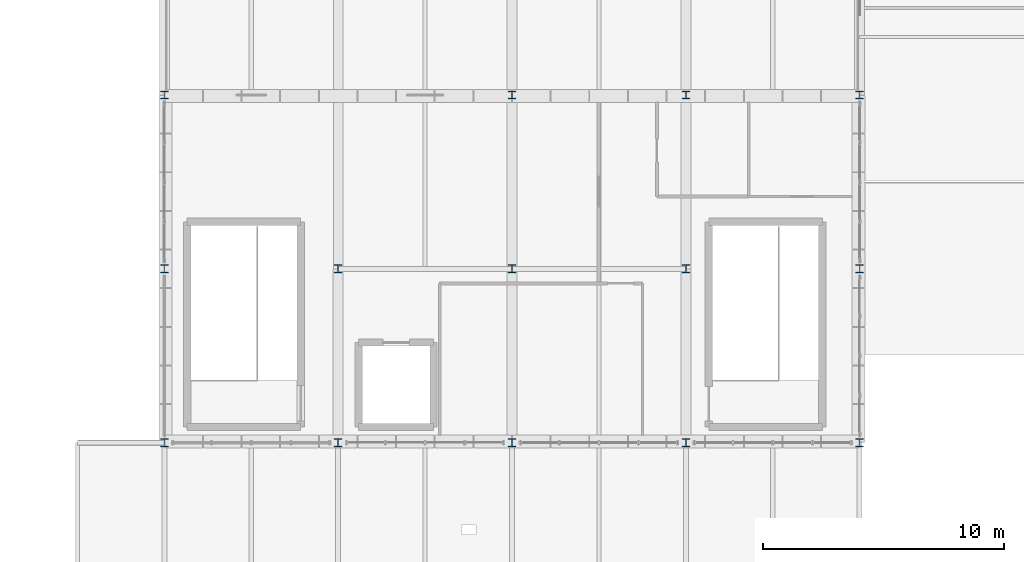
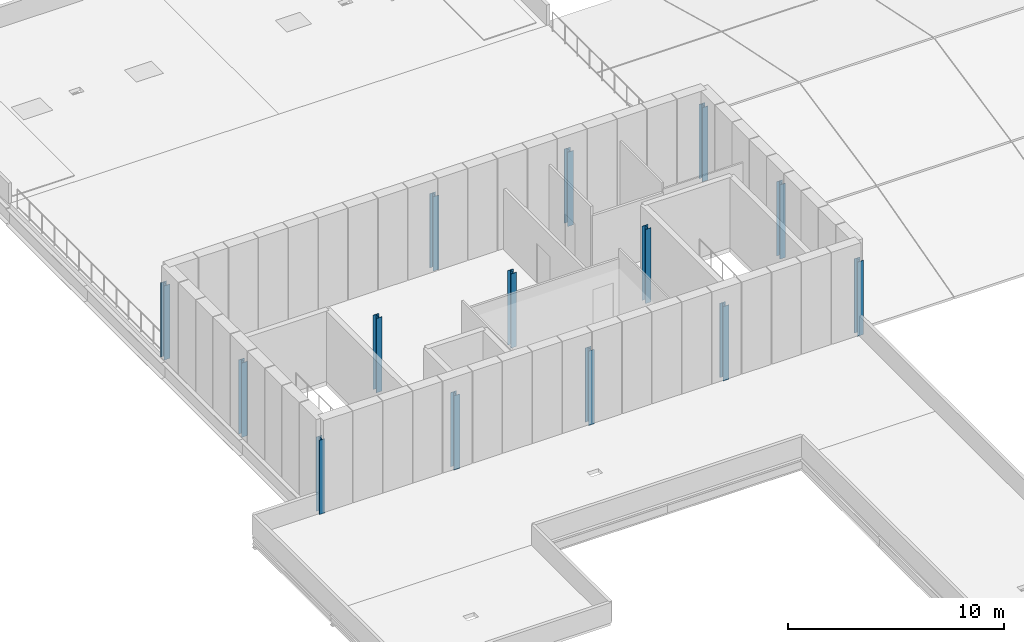
# One storey, part 1 of 47: 14 columns.
"""IFC4 building model written with IfcOpenShell, lengths in metres."""

from ifc_helpers import new_model, si_unit, direction, frame, origin, origin_2d, place, context, subcontext, project, spatial, i_section, extrude, material, material_profile, profile_set, type_object, element, save


model = new_model("IFC4")

# Units and contexts
model_context = context("Model", 3, precision=1e-05, world=origin(), true_north=direction((0.0, 1.0)))
body_context = subcontext(model_context, "Body", "Model", "MODEL_VIEW")
ifc_project = project(units=[si_unit("LENGTHUNIT", "METRE"), si_unit("AREAUNIT", "SQUARE_METRE"), si_unit("VOLUMEUNIT", "CUBIC_METRE"), si_unit("PLANEANGLEUNIT", "RADIAN"), si_unit("MASSUNIT", "GRAM", prefix="KILO")], contexts=[model_context])

# Site, building, storey
site_placement = place(None, origin())
site = spatial("IfcSite", under=ifc_project, at=site_placement, CompositionType="ELEMENT")
building_placement = place(site_placement, origin())
building = spatial("IfcBuilding", under=site, at=building_placement, Name="Yarey Park Central Fire Station", CompositionType="ELEMENT")
storey_placement = place(building_placement, frame((0.0, 0.0, 18.0)))
storey = spatial("IfcBuildingStorey", under=building, at=storey_placement, Name="L05", CompositionType="ELEMENT", Elevation=18.0)

# Columns
ifc_material = material(Name="Steel ASTM A992 Gr. 50", Category="steel")
ifc_material_profile_1 = material_profile(ifc_material, i_section(OverallWidth=0.30908203125, OverallDepth=0.322998046875, WebThickness=0.013916015625, FlangeThickness=0.02294921875, at=origin_2d()), Name="W310x143")
ifc_profile_set_1 = profile_set([ifc_material_profile_1], Name="Steel ASTM A992 Gr. 50")
column_type_1 = type_object("IfcColumnType", Name="STR_COL_W310_EXT", PredefinedType="COLUMN", material=ifc_profile_set_1)
for number, where, z_axis, x_axis, name in (
    (1, (28.800048828125, 57.60009765625, 0.0), (0.0, 0.0, 1.0), (1.0, 0.0, 0.0), "COL_L05_X288_Y576"),
    (2, (28.800048828125, 64.800048828125, 0.0), (0.0, 0.0, 1.0), (1.0, 0.0, 0.0), "COL_L05_X288_Y648"),
    (3, (28.800048828125, 72.0, 0.0), (0.0, 0.0, 1.0), (1.0, 0.0, 0.0), "COL_L05_X288_Y720"),
    (4, (36.0, 57.60009765625, 0.0), (0.0, 0.0, 1.0), (1.0, 0.0, 0.0), "COL_L05_X360_Y576"),
    (5, (43.199951171875, 57.60009765625, 0.0), (0.0, 0.0, 1.0), (1.0, 0.0, 0.0), "COL_L05_X432_Y576"),
    (6, (43.199951171875, 72.0, 0.0), (0.0, 0.0, 1.0), (1.0, 0.0, 0.0), "COL_L05_X432_Y720"),
    (7, (50.39990234375, 57.60009765625, 0.0), (0.0, 0.0, 1.0), (1.0, 0.0, 0.0), "COL_L05_X504_Y576"),
    (8, (50.39990234375, 72.0, 0.0), (0.0, 0.0, 1.0), (1.0, 0.0, 0.0), "COL_L05_X504_Y720"),
    (9, (57.60009765625, 57.60009765625, 0.0), (0.0, 0.0, 1.0), (1.0, 0.0, 0.0), "COL_L05_X576_Y576"),
    (10, (57.60009765625, 64.800048828125, 0.0), (0.0, 0.0, 1.0), (1.0, 0.0, 0.0), "COL_L05_X576_Y648"),
    (11, (57.60009765625, 72.0, 0.0), (0.0, 0.0, 1.0), (1.0, 0.0, 0.0), "COL_L05_X576_Y720"),
):
    element("IfcColumn", number, at=place(storey_placement, frame(where, z_axis=z_axis, x_axis=x_axis)), inside=storey, type_object=column_type_1, Name=name, PredefinedType="COLUMN", context=body_context, shape_type="SweptSolid", body=[
        extrude(i_section(OverallWidth=0.30908203125, OverallDepth=0.322998046875, WebThickness=0.013916015625, FlangeThickness=0.02294921875, at=origin_2d()), origin(), (0.0, 0.0, 1.0), 4.199951171875),
    ])
ifc_material_profile_2 = material_profile(ifc_material, i_section(OverallWidth=0.30908203125, OverallDepth=0.322998046875, WebThickness=0.013916015625, FlangeThickness=0.02294921875, at=origin_2d()), Name="W310x143")
ifc_profile_set_2 = profile_set([ifc_material_profile_2], Name="Steel ASTM A992 Gr. 50")
column_type_2 = type_object("IfcColumnType", Name="STR_COL_W310_INT", PredefinedType="COLUMN", material=ifc_profile_set_2)
for number, where, z_axis, x_axis, name in (
    (12, (36.0, 64.800048828125, 0.0), (0.0, 0.0, 1.0), (1.0, 0.0, 0.0), "COL_L05_X360_Y648"),
    (13, (43.199951171875, 64.800048828125, 0.0), (0.0, 0.0, 1.0), (1.0, 0.0, 0.0), "COL_L05_X432_Y648"),
    (14, (50.39990234375, 64.800048828125, 0.0), (0.0, 0.0, 1.0), (1.0, 0.0, 0.0), "COL_L05_X504_Y648"),
):
    element("IfcColumn", number, at=place(storey_placement, frame(where, z_axis=z_axis, x_axis=x_axis)), inside=storey, type_object=column_type_2, Name=name, PredefinedType="COLUMN", context=body_context, shape_type="SweptSolid", body=[
        extrude(i_section(OverallWidth=0.30908203125, OverallDepth=0.322998046875, WebThickness=0.013916015625, FlangeThickness=0.02294921875, at=origin_2d()), origin(), (0.0, 0.0, 1.0), 4.199951171875),
    ])

save(model, "model.ifc")
